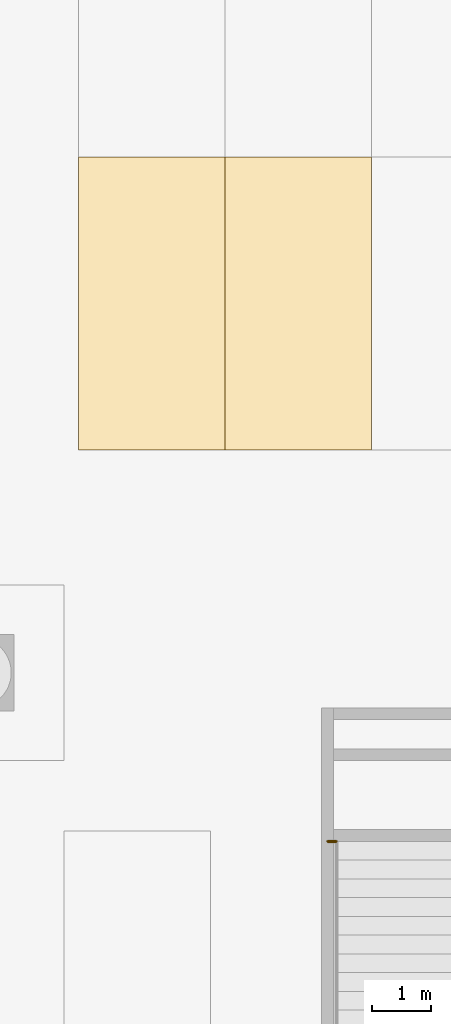
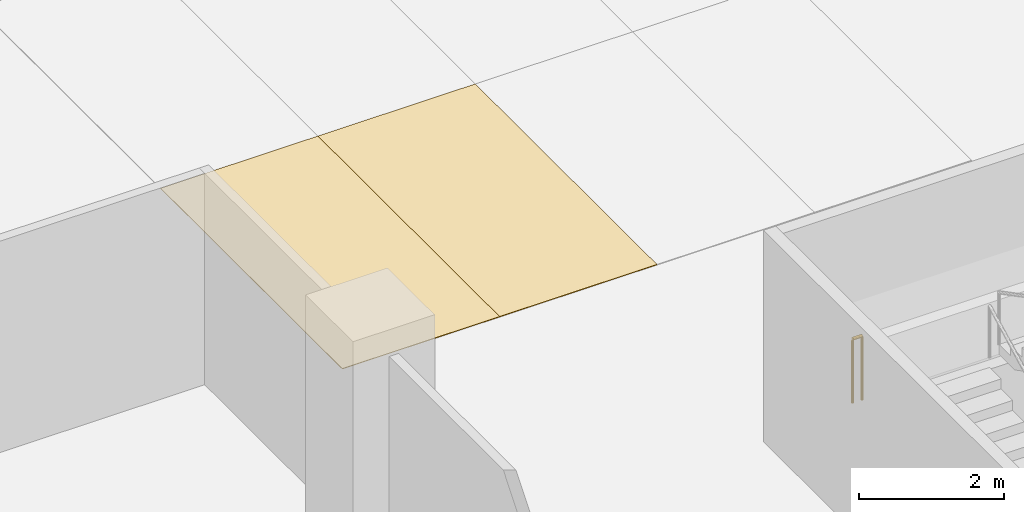
# One storey, part 28 of 40: 2 coverings, 1 railing.
"""IFC4 building model written with IfcOpenShell, lengths in metres."""

import ifcopenshell
import ifcopenshell.guid

model = None  # the IFC model being written
_history = None  # IfcOwnerHistory: only IFC2X3 demands one
_inside = {}  # id of a spatial element -> (the spatial element, [elements in it])
_under = {}  # id of a project, library or spatial element -> (it, [spatial elements below it])
_declared = {}  # id of a project -> (the project, [libraries it declares])
_typed = {}  # id of a type object -> (the type object, [elements of that type])
_made_of = {}  # id of a material, layer set ... -> (it, [elements and type objects made of it])


def new_model(schema):
    """Start an empty IFC model of exactly this schema.

    Asked for "IFC4X3", IfcOpenShell would pick the latest addendum, in which some entities
    have other attributes; the version numbers below select the first issue.
    IFC2X3 requires an IfcOwnerHistory on every rooted entity: one is made here for all.
    """
    global model, _history
    if schema == "IFC4X3":
        model = ifcopenshell.file(schema_version=(4, 3, 0, 0))
    else:
        model = ifcopenshell.file(schema=schema)
    _inside.clear()
    _under.clear()
    _declared.clear()
    _typed.clear()
    _made_of.clear()
    _history = None
    if model.schema == "IFC2X3":
        org = make("IfcOrganization", Name="unknown")
        user = make(
            "IfcPersonAndOrganization",
            ThePerson=make("IfcPerson", FamilyName="unknown"),
            TheOrganization=org,
        )
        app = make(
            "IfcApplication",
            ApplicationDeveloper=org,
            Version="unknown",
            ApplicationFullName="unknown",
            ApplicationIdentifier="unknown",
        )
        _history = make(
            "IfcOwnerHistory",
            OwningUser=user,
            OwningApplication=app,
            ChangeAction="ADDED",
            CreationDate=0,
        )
    return model


def make(cls, **values):
    """One entity of the class cls with the attributes given. An attribute that is None is left unset."""
    return model.create_entity(
        cls, **{name: value for name, value in values.items() if value is not None}
    )


def rooted(cls, **values):
    """An entity with a GlobalId (a new one), such as an element, a storey or a relation."""
    return make(cls, GlobalId=ifcopenshell.guid.new(), OwnerHistory=_history, **values)


def si_unit(unit_type, name, prefix=None):
    """IfcSIUnit, for example si_unit("LENGTHUNIT", "METRE", prefix="MILLI")."""
    return make("IfcSIUnit", UnitType=unit_type, Prefix=prefix, Name=name)


def assignment(units):
    """IfcUnitAssignment: the units of a project."""
    return None if units is None else make("IfcUnitAssignment", Units=units)


def point(xyz):
    """IfcCartesianPoint."""
    return None if xyz is None else make("IfcCartesianPoint", Coordinates=xyz)


def direction(xyz):
    """IfcDirection."""
    return None if xyz is None else make("IfcDirection", DirectionRatios=xyz)


def frame(location, z_axis=None, x_axis=None):
    """IfcAxis2Placement3D, a coordinate frame: its origin and axes. An axis left out is left unset."""
    return make(
        "IfcAxis2Placement3D",
        Location=point(location),
        Axis=direction(z_axis),
        RefDirection=direction(x_axis),
    )


def frame_2d(location, x_axis=None):
    """IfcAxis2Placement2D, a coordinate frame in the plane: its origin and x axis."""
    return make(
        "IfcAxis2Placement2D", Location=point(location), RefDirection=direction(x_axis)
    )


def origin():
    """The frame at (0, 0, 0) with its axes left unset."""
    return frame((0.0, 0.0, 0.0))


def origin_2d():
    """The frame at (0, 0) in the plane with its x axis left unset."""
    return frame_2d((0.0, 0.0))


def place(relative_to, where):
    """IfcLocalPlacement: puts the frame where relative to a parent placement (None: the world)."""
    return make(
        "IfcLocalPlacement", PlacementRelTo=relative_to, RelativePlacement=where
    )


def context(
    kind, dimensions, precision=None, world=None, true_north=None, identifier=None
):
    """IfcGeometricRepresentationContext, for example the 3D "Model" context."""
    return make(
        "IfcGeometricRepresentationContext",
        ContextIdentifier=identifier,
        ContextType=kind,
        CoordinateSpaceDimension=dimensions,
        Precision=precision,
        WorldCoordinateSystem=world,
        TrueNorth=true_north,
    )


def subcontext(parent, identifier, kind, view, scale=None):
    """IfcGeometricRepresentationSubContext, for example "Body" below "Model"."""
    return make(
        "IfcGeometricRepresentationSubContext",
        ContextIdentifier=identifier,
        ContextType=kind,
        ParentContext=parent,
        TargetScale=scale,
        TargetView=view,
    )


def project(units=None, contexts=None):
    """IfcProject with its units and contexts."""
    return rooted(
        "IfcProject",
        Name="project",
        RepresentationContexts=contexts,
        UnitsInContext=assignment(units),
    )


def spatial(cls, under=None, at=None, **own):
    """A site, building, storey or space (cls), placed at a placement, below another one or the project."""
    s = rooted(cls, ObjectPlacement=at, **own)
    if under is not None:
        _under.setdefault(under.id(), (under, []))[1].append(s)
    return s


def polyline(points):
    """IfcPolyline through the points."""
    return make("IfcPolyline", Points=[point(p) for p in points])


def profile(cls, at=None, kind="AREA", **sizes):
    """A parametric profile (cls). Its sizes go by their IFC names, for example OverallWidth=200.0."""
    return make(cls, ProfileType=kind, Position=at, **sizes)


def circle(**sizes):
    """IfcCircleProfileDef."""
    return profile("IfcCircleProfileDef", **sizes)


def outline(outer, holes=None, kind="AREA"):
    """IfcArbitraryClosedProfileDef: a profile drawn as a closed curve; with holes, ...WithVoids."""
    if holes is None:
        return make("IfcArbitraryClosedProfileDef", ProfileType=kind, OuterCurve=outer)
    return make(
        "IfcArbitraryProfileDefWithVoids",
        ProfileType=kind,
        OuterCurve=outer,
        InnerCurves=holes,
    )


def extrude(swept, where, along, depth):
    """IfcExtrudedAreaSolid: the profile swept, set in the frame where, extruded along a direction by depth."""
    return make(
        "IfcExtrudedAreaSolid",
        SweptArea=swept,
        Position=where,
        ExtrudedDirection=direction(along),
        Depth=depth,
    )


def shape(context_of_items, identifier, shape_type, items):
    """IfcShapeRepresentation: the items that make up one representation, for example the "Body"."""
    return make(
        "IfcShapeRepresentation",
        ContextOfItems=context_of_items,
        RepresentationIdentifier=identifier,
        RepresentationType=shape_type,
        Items=items,
    )


def source(mapping_origin, context_of_items, identifier, shape_type, items):
    """IfcRepresentationMap: a shape defined once, which mapped items show again and again."""
    return make(
        "IfcRepresentationMap",
        MappingOrigin=mapping_origin,
        MappedRepresentation=shape(context_of_items, identifier, shape_type, items),
    )


def transform(
    local_origin,
    x_axis=None,
    y_axis=None,
    z_axis=None,
    scale=None,
    scale2=None,
    scale3=None,
    uniform=True,
):
    """IfcCartesianTransformationOperator3D, or its non-uniform kind. x_axis, y_axis, z_axis: its Axis1, 2, 3."""
    if uniform:
        return make(
            "IfcCartesianTransformationOperator3D",
            Axis1=direction(x_axis),
            Axis2=direction(y_axis),
            LocalOrigin=point(local_origin),
            Scale=scale,
            Axis3=direction(z_axis),
        )
    return make(
        "IfcCartesianTransformationOperator3DnonUniform",
        Axis1=direction(x_axis),
        Axis2=direction(y_axis),
        LocalOrigin=point(local_origin),
        Scale=scale,
        Axis3=direction(z_axis),
        Scale2=scale2,
        Scale3=scale3,
    )


def mapped(mapping_source, mapping_target):
    """IfcMappedItem: shows the shape of a source again, moved by a transform."""
    return make(
        "IfcMappedItem", MappingSource=mapping_source, MappingTarget=mapping_target
    )


def material(Name=None, Category=None):
    """IfcMaterial."""
    return make("IfcMaterial", Name=Name, Category=Category)


def layer(
    of_material, thickness, ventilated=None, Name=None, Category=None, Priority=None
):
    """IfcMaterialLayer: one layer of a wall or slab, of a material (None: an air gap)."""
    return make(
        "IfcMaterialLayer",
        Material=of_material,
        LayerThickness=thickness,
        IsVentilated=ventilated,
        Name=Name,
        Category=Category,
        Priority=Priority,
    )


def layer_set(layers, Name=None):
    """IfcMaterialLayerSet."""
    return make("IfcMaterialLayerSet", MaterialLayers=layers, LayerSetName=Name)


def made_of(thing, what):
    """Note that an element or type object is made of a material, layer set ...; save() writes the relation."""
    if what is not None:
        _made_of.setdefault(what.id(), (what, []))[1].append(thing)
    return thing


def type_object(cls, material=None, **own):
    """A type object (cls), such as IfcWallType, which elements share."""
    return made_of(rooted(cls, **own), material)


def element(
    cls,
    number,
    at=None,
    inside=None,
    cuts=None,
    type_object=None,
    material=None,
    context=None,
    identifier="Body",
    shape_type=None,
    held_by="IfcProductDefinitionShape",
    body=None,
    shapes=None,
    **own,
):
    """One element of the class cls, such as IfcWall. Its Tag is "e" and its number.

    at: its placement. inside: the storey or other place that contains it. cuts: it is an
    opening in that element (IfcRelVoidsElement). A single representation is given by context,
    identifier, shape_type and body (its items); several are given by shapes. held_by: the class
    of the entity that holds the representations. save() writes the other relations.
    """
    e = rooted(cls, Tag="e%d" % number, ObjectPlacement=at, **own)
    if body is not None:
        shapes = [shape(context, identifier, shape_type, body)]
    if shapes is not None:
        e.Representation = make(held_by, Representations=shapes)
    if inside is not None:
        _inside.setdefault(inside.id(), (inside, []))[1].append(e)
    if cuts is not None:
        rooted(
            "IfcRelVoidsElement", RelatingBuildingElement=cuts, RelatedOpeningElement=e
        )
    if type_object is not None:
        _typed.setdefault(type_object.id(), (type_object, []))[1].append(e)
    return made_of(e, material)


def aggregate(whole, parts):
    """IfcRelAggregates: a whole, such as a stair, and the parts it consists of."""
    return rooted("IfcRelAggregates", RelatingObject=whole, RelatedObjects=parts)


def save(model, path):
    """Write the relations noted so far, then the file.

    IfcRelAggregates (storeys below a building ...), IfcRelContainedInSpatialStructure (elements
    in a storey), IfcRelDefinesByType, IfcRelAssociatesMaterial and IfcRelDeclares: one each for
    every whole, place, type object, material and project.
    """
    for whole, parts in _under.values():
        aggregate(whole, parts)
    for where, things in _inside.values():
        rooted(
            "IfcRelContainedInSpatialStructure",
            RelatedElements=things,
            RelatingStructure=where,
        )
    for kind, things in _typed.values():
        rooted("IfcRelDefinesByType", RelatedObjects=things, RelatingType=kind)
    for what, things in _made_of.values():
        rooted("IfcRelAssociatesMaterial", RelatedObjects=things, RelatingMaterial=what)
    for by, libraries in _declared.values():
        rooted("IfcRelDeclares", RelatingContext=by, RelatedDefinitions=libraries)
    model.write(path)


model = new_model("IFC4")

# Units and contexts
model_context = context("Model", 3, precision=1e-05, world=origin(), true_north=direction((0.0, 1.0)))
body_context = subcontext(model_context, "Body", "Model", "MODEL_VIEW")
ifc_project = project(units=[si_unit("LENGTHUNIT", "METRE"), si_unit("AREAUNIT", "SQUARE_METRE"), si_unit("VOLUMEUNIT", "CUBIC_METRE"), si_unit("PLANEANGLEUNIT", "RADIAN"), si_unit("MASSUNIT", "GRAM", prefix="KILO")], contexts=[model_context])

# Site, building, storey
site_placement = place(None, origin())
site = spatial("IfcSite", under=ifc_project, at=site_placement, CompositionType="ELEMENT")
building_placement = place(site_placement, origin())
building = spatial("IfcBuilding", under=site, at=building_placement, Name="Altepetl Exchange Towers", CompositionType="ELEMENT")
storey_placement = place(building_placement, frame((0.0, 0.0, -8.0)))
storey = spatial("IfcBuildingStorey", under=building, at=storey_placement, Name="B2 Basement parking", CompositionType="ELEMENT", Elevation=-8.0)

# Coverings
ifc_material_1 = material(Name="Road marking paint")
ifc_layer = layer(ifc_material_1, 0.010009765625)
ifc_layer_set = layer_set([ifc_layer], Name="Road marking paint")
covering_type = type_object("IfcCoveringType", Name="Parking bay marking 2500 x 5000", PredefinedType="FLOORING", material=ifc_layer_set)
covering_1_placement = place(storey_placement, origin())
element("IfcCovering", 1, at=covering_1_placement, inside=storey, type_object=covering_type, Name="Parking bay B2-041", PredefinedType="FLOORING", context=body_context, shape_type="SweptSolid", body=[
    extrude(outline(polyline([(91.75, 12.800048828125), (94.25, 12.800048828125), (94.25, 17.800048828125), (91.75, 17.800048828125), (91.75, 12.800048828125)])), origin(), (0.0, 0.0, 1.0), 0.010009765625),
])
covering_2_placement = place(storey_placement, origin())
element("IfcCovering", 2, at=covering_2_placement, inside=storey, type_object=covering_type, Name="Parking bay B2-042", PredefinedType="FLOORING", context=body_context, shape_type="SweptSolid", body=[
    extrude(outline(polyline([(94.25, 12.800048828125), (96.75, 12.800048828125), (96.75, 17.800048828125), (94.25, 17.800048828125), (94.25, 12.800048828125)])), origin(), (0.0, 0.0, 1.0), 0.010009765625),
])

# Railing
ifc_material_2 = material(Name="Laminated glass and steel", Category="steel")
railing_type = type_object("IfcRailingType", Name="Hall gallery guard 1100", PredefinedType="GUARDRAIL", material=ifc_material_2)
shared_shape = source(origin(), body_context, "Body", "SweptSolid", [
    extrude(circle(Radius=0.02001953125, at=origin_2d()), origin(), (0.0, 0.0, 1.0), 1.050048828125),
])
railing_placement = place(storey_placement, frame((96.0, 6.1201171875, 2.0)))
element("IfcRailing", 3, at=railing_placement, inside=storey, type_object=railing_type, Name="rail:P:B2:ES2land0", PredefinedType="GUARDRAIL", context=body_context, shape_type="SweptSolid", body=[
    extrude(circle(Radius=0.02490234375, at=origin_2d()), frame((0.0, 0.0, 1.0751953125), z_axis=(1.0, 0.0, 0.0), x_axis=(0.0, 1.0, 0.0)), (0.0, 0.0, 1.0), 0.14990234375),
    mapped(shared_shape, transform((0.0, 0.0, 0.0))),
    mapped(shared_shape, transform((0.14990234375, 0.0, 0.0))),
])

save(model, "model.ifc")
